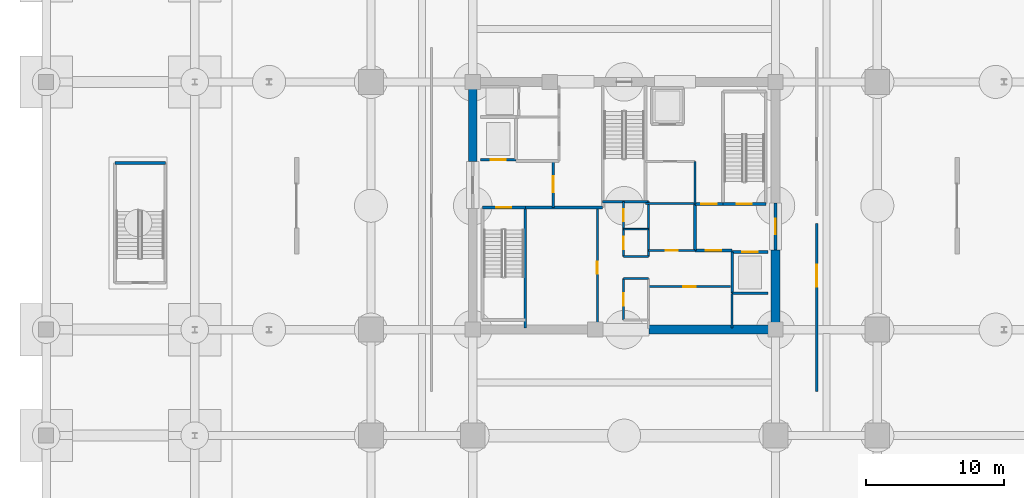
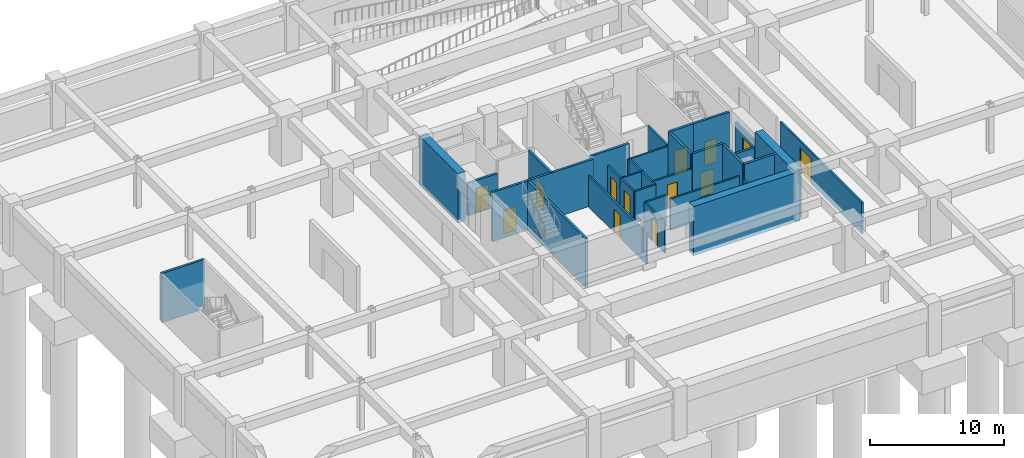
# One storey, part 9 of 17: 32 walls, 15 doors, 15 openings.
"""IFC4 building model written with IfcOpenShell, lengths in metres."""

import ifcopenshell
import ifcopenshell.guid

model = None  # the IFC model being written
_history = None  # IfcOwnerHistory: only IFC2X3 demands one
_inside = {}  # id of a spatial element -> (the spatial element, [elements in it])
_under = {}  # id of a project, library or spatial element -> (it, [spatial elements below it])
_declared = {}  # id of a project -> (the project, [libraries it declares])
_typed = {}  # id of a type object -> (the type object, [elements of that type])
_made_of = {}  # id of a material, layer set ... -> (it, [elements and type objects made of it])


def new_model(schema):
    """Start an empty IFC model of exactly this schema.

    Asked for "IFC4X3", IfcOpenShell would pick the latest addendum, in which some entities
    have other attributes; the version numbers below select the first issue.
    IFC2X3 requires an IfcOwnerHistory on every rooted entity: one is made here for all.
    """
    global model, _history
    if schema == "IFC4X3":
        model = ifcopenshell.file(schema_version=(4, 3, 0, 0))
    else:
        model = ifcopenshell.file(schema=schema)
    _inside.clear()
    _under.clear()
    _declared.clear()
    _typed.clear()
    _made_of.clear()
    _history = None
    if model.schema == "IFC2X3":
        org = make("IfcOrganization", Name="unknown")
        user = make(
            "IfcPersonAndOrganization",
            ThePerson=make("IfcPerson", FamilyName="unknown"),
            TheOrganization=org,
        )
        app = make(
            "IfcApplication",
            ApplicationDeveloper=org,
            Version="unknown",
            ApplicationFullName="unknown",
            ApplicationIdentifier="unknown",
        )
        _history = make(
            "IfcOwnerHistory",
            OwningUser=user,
            OwningApplication=app,
            ChangeAction="ADDED",
            CreationDate=0,
        )
    return model


def make(cls, **values):
    """One entity of the class cls with the attributes given. An attribute that is None is left unset."""
    return model.create_entity(
        cls, **{name: value for name, value in values.items() if value is not None}
    )


def rooted(cls, **values):
    """An entity with a GlobalId (a new one), such as an element, a storey or a relation."""
    return make(cls, GlobalId=ifcopenshell.guid.new(), OwnerHistory=_history, **values)


def si_unit(unit_type, name, prefix=None):
    """IfcSIUnit, for example si_unit("LENGTHUNIT", "METRE", prefix="MILLI")."""
    return make("IfcSIUnit", UnitType=unit_type, Prefix=prefix, Name=name)


def assignment(units):
    """IfcUnitAssignment: the units of a project."""
    return None if units is None else make("IfcUnitAssignment", Units=units)


def point(xyz):
    """IfcCartesianPoint."""
    return None if xyz is None else make("IfcCartesianPoint", Coordinates=xyz)


def direction(xyz):
    """IfcDirection."""
    return None if xyz is None else make("IfcDirection", DirectionRatios=xyz)


def frame(location, z_axis=None, x_axis=None):
    """IfcAxis2Placement3D, a coordinate frame: its origin and axes. An axis left out is left unset."""
    return make(
        "IfcAxis2Placement3D",
        Location=point(location),
        Axis=direction(z_axis),
        RefDirection=direction(x_axis),
    )


def frame_2d(location, x_axis=None):
    """IfcAxis2Placement2D, a coordinate frame in the plane: its origin and x axis."""
    return make(
        "IfcAxis2Placement2D", Location=point(location), RefDirection=direction(x_axis)
    )


def origin():
    """The frame at (0, 0, 0) with its axes left unset."""
    return frame((0.0, 0.0, 0.0))


def place(relative_to, where):
    """IfcLocalPlacement: puts the frame where relative to a parent placement (None: the world)."""
    return make(
        "IfcLocalPlacement", PlacementRelTo=relative_to, RelativePlacement=where
    )


def context(
    kind, dimensions, precision=None, world=None, true_north=None, identifier=None
):
    """IfcGeometricRepresentationContext, for example the 3D "Model" context."""
    return make(
        "IfcGeometricRepresentationContext",
        ContextIdentifier=identifier,
        ContextType=kind,
        CoordinateSpaceDimension=dimensions,
        Precision=precision,
        WorldCoordinateSystem=world,
        TrueNorth=true_north,
    )


def subcontext(parent, identifier, kind, view, scale=None):
    """IfcGeometricRepresentationSubContext, for example "Body" below "Model"."""
    return make(
        "IfcGeometricRepresentationSubContext",
        ContextIdentifier=identifier,
        ContextType=kind,
        ParentContext=parent,
        TargetScale=scale,
        TargetView=view,
    )


def project(units=None, contexts=None):
    """IfcProject with its units and contexts."""
    return rooted(
        "IfcProject",
        Name="project",
        RepresentationContexts=contexts,
        UnitsInContext=assignment(units),
    )


def spatial(cls, under=None, at=None, **own):
    """A site, building, storey or space (cls), placed at a placement, below another one or the project."""
    s = rooted(cls, ObjectPlacement=at, **own)
    if under is not None:
        _under.setdefault(under.id(), (under, []))[1].append(s)
    return s


def profile(cls, at=None, kind="AREA", **sizes):
    """A parametric profile (cls). Its sizes go by their IFC names, for example OverallWidth=200.0."""
    return make(cls, ProfileType=kind, Position=at, **sizes)


def rectangle(**sizes):
    """IfcRectangleProfileDef."""
    return profile("IfcRectangleProfileDef", **sizes)


def extrude(swept, where, along, depth):
    """IfcExtrudedAreaSolid: the profile swept, set in the frame where, extruded along a direction by depth."""
    return make(
        "IfcExtrudedAreaSolid",
        SweptArea=swept,
        Position=where,
        ExtrudedDirection=direction(along),
        Depth=depth,
    )


def shape(context_of_items, identifier, shape_type, items):
    """IfcShapeRepresentation: the items that make up one representation, for example the "Body"."""
    return make(
        "IfcShapeRepresentation",
        ContextOfItems=context_of_items,
        RepresentationIdentifier=identifier,
        RepresentationType=shape_type,
        Items=items,
    )


def material(Name=None, Category=None):
    """IfcMaterial."""
    return make("IfcMaterial", Name=Name, Category=Category)


def layer(
    of_material, thickness, ventilated=None, Name=None, Category=None, Priority=None
):
    """IfcMaterialLayer: one layer of a wall or slab, of a material (None: an air gap)."""
    return make(
        "IfcMaterialLayer",
        Material=of_material,
        LayerThickness=thickness,
        IsVentilated=ventilated,
        Name=Name,
        Category=Category,
        Priority=Priority,
    )


def layer_set(layers, Name=None):
    """IfcMaterialLayerSet."""
    return make("IfcMaterialLayerSet", MaterialLayers=layers, LayerSetName=Name)


def made_of(thing, what):
    """Note that an element or type object is made of a material, layer set ...; save() writes the relation."""
    if what is not None:
        _made_of.setdefault(what.id(), (what, []))[1].append(thing)
    return thing


def type_object(cls, material=None, **own):
    """A type object (cls), such as IfcWallType, which elements share."""
    return made_of(rooted(cls, **own), material)


def element(
    cls,
    number,
    at=None,
    inside=None,
    cuts=None,
    type_object=None,
    material=None,
    context=None,
    identifier="Body",
    shape_type=None,
    held_by="IfcProductDefinitionShape",
    body=None,
    shapes=None,
    **own,
):
    """One element of the class cls, such as IfcWall. Its Tag is "e" and its number.

    at: its placement. inside: the storey or other place that contains it. cuts: it is an
    opening in that element (IfcRelVoidsElement). A single representation is given by context,
    identifier, shape_type and body (its items); several are given by shapes. held_by: the class
    of the entity that holds the representations. save() writes the other relations.
    """
    e = rooted(cls, Tag="e%d" % number, ObjectPlacement=at, **own)
    if body is not None:
        shapes = [shape(context, identifier, shape_type, body)]
    if shapes is not None:
        e.Representation = make(held_by, Representations=shapes)
    if inside is not None:
        _inside.setdefault(inside.id(), (inside, []))[1].append(e)
    if cuts is not None:
        rooted(
            "IfcRelVoidsElement", RelatingBuildingElement=cuts, RelatedOpeningElement=e
        )
    if type_object is not None:
        _typed.setdefault(type_object.id(), (type_object, []))[1].append(e)
    return made_of(e, material)


def fill(opening, filler):
    """IfcRelFillsElement: the door or window that sits in an opening."""
    return rooted(
        "IfcRelFillsElement",
        RelatingOpeningElement=opening,
        RelatedBuildingElement=filler,
    )


def aggregate(whole, parts):
    """IfcRelAggregates: a whole, such as a stair, and the parts it consists of."""
    return rooted("IfcRelAggregates", RelatingObject=whole, RelatedObjects=parts)


def save(model, path):
    """Write the relations noted so far, then the file.

    IfcRelAggregates (storeys below a building ...), IfcRelContainedInSpatialStructure (elements
    in a storey), IfcRelDefinesByType, IfcRelAssociatesMaterial and IfcRelDeclares: one each for
    every whole, place, type object, material and project.
    """
    for whole, parts in _under.values():
        aggregate(whole, parts)
    for where, things in _inside.values():
        rooted(
            "IfcRelContainedInSpatialStructure",
            RelatedElements=things,
            RelatingStructure=where,
        )
    for kind, things in _typed.values():
        rooted("IfcRelDefinesByType", RelatedObjects=things, RelatingType=kind)
    for what, things in _made_of.values():
        rooted("IfcRelAssociatesMaterial", RelatedObjects=things, RelatingMaterial=what)
    for by, libraries in _declared.values():
        rooted("IfcRelDeclares", RelatingContext=by, RelatedDefinitions=libraries)
    model.write(path)


model = new_model("IFC4")

# Units and contexts
model_context = context("Model", 3, precision=1e-05, world=origin(), true_north=direction((0.0, 1.0)))
body_context = subcontext(model_context, "Body", "Model", "MODEL_VIEW")
ifc_project = project(units=[si_unit("LENGTHUNIT", "METRE"), si_unit("AREAUNIT", "SQUARE_METRE"), si_unit("VOLUMEUNIT", "CUBIC_METRE"), si_unit("PLANEANGLEUNIT", "RADIAN"), si_unit("MASSUNIT", "GRAM", prefix="KILO")], contexts=[model_context])

# Site, building, storey
site_placement = place(None, origin())
site = spatial("IfcSite", under=ifc_project, at=site_placement, CompositionType="ELEMENT")
building_placement = place(site_placement, origin())
building = spatial("IfcBuilding", under=site, at=building_placement, Name="Kovane Verandah Tower", CompositionType="ELEMENT")
storey_placement = place(building_placement, frame((0.0, 0.0, -9.0)))
storey = spatial("IfcBuildingStorey", under=building, at=storey_placement, Name="B2", CompositionType="ELEMENT", Elevation=-9.0)

# Walls
ifc_material_1 = material(Name="Fire-Rated Gypsum Stud Partition", Category="gypsum")
ifc_layer_1 = layer(ifc_material_1, 0.14990234375)
ifc_layer_set_1 = layer_set([ifc_layer_1], Name="Fire-Rated Gypsum Stud Partition")
wall_type_1 = type_object("IfcWallType", Name="WL-COR-150", PredefinedType="PARTITIONING", material=ifc_layer_set_1)
for number, where, z_axis, x_axis, name in (
    (1, (39.949951171875, 22.199951171875, 0.0), (0.0, 0.0, 1.0), (1.0, 0.0, 0.0), "B2 Core Cross-Passage South Wall"),
    (2, (39.949951171875, 23.800048828125, 0.0), (0.0, 0.0, 1.0), (1.0, 0.0, 0.0), "B2 Core Cross-Passage North Wall"),
):
    element("IfcWall", number, at=place(storey_placement, frame(where, z_axis=z_axis, x_axis=x_axis)), inside=storey, type_object=wall_type_1, Name=name, PredefinedType="PARTITIONING", context=body_context, shape_type="SweptSolid", body=[
        extrude(rectangle(XDim=1.81005859375, YDim=0.14990234375, at=frame_2d((0.905029296875, 0.0))), origin(), (0.0, 0.0, 1.0), 2.85009765625),
    ])
wall_1_placement = place(storey_placement, frame((41.760009765625, 23.800048828125, 0.0), z_axis=(0.0, 0.0, 1.0), x_axis=(0.0, 1.0, 0.0)))
element("IfcWall", 3, at=wall_1_placement, inside=storey, type_object=wall_type_1, Name="B2 Central Core Strip Upper East Wall", PredefinedType="PARTITIONING", context=body_context, shape_type="SweptSolid", body=[
    extrude(rectangle(XDim=4.0, YDim=0.14990234375, at=frame_2d((2.0, 0.0))), origin(), (0.0, 0.0, 1.0), 2.85009765625),
])

# Wall, opening, door
wall_2_placement = place(storey_placement, frame((39.949951171875, 19.199951171875, 0.0), z_axis=(0.0, 0.0, 1.0), x_axis=(0.0, 1.0, 0.0)))
wall_2 = element("IfcWall", 4, at=wall_2_placement, inside=storey, type_object=wall_type_1, Name="B2 Male Toilet Partition", PredefinedType="PARTITIONING", context=body_context, shape_type="SweptSolid", body=[
    extrude(rectangle(XDim=3.0, YDim=0.14990234375, at=frame_2d((1.5, 0.0))), origin(), (0.0, 0.0, 1.0), 2.85009765625),
])
opening_1_placement = place(wall_2_placement, frame((1.050048828125, 0.0, 0.0)))
opening_1 = element("IfcOpeningElement", 5, at=opening_1_placement, cuts=wall_2, Name="Opening DR-B2-022", PredefinedType="OPENING", context=body_context, shape_type="SweptSolid", body=[
    extrude(rectangle(XDim=0.89990234375, YDim=2.10009765625, at=frame_2d((0.449951171875, 1.050048828125))), frame((0.0, 0.074951171875, 0.0), z_axis=(0.0, -1.0, 0.0), x_axis=(1.0, 0.0, 0.0)), (0.0, 0.0, 1.0), 0.14990234375),
])
ifc_material_2 = material(Name="Moisture-Resistant Laminate Washroom Door", Category="wood")
door_type_1 = type_object("IfcDoorType", Name="DR-WC-900", OperationType="SINGLE_SWING_LEFT", PredefinedType="DOOR", material=ifc_material_2)
door_1_placement = place(opening_1_placement, origin())
door_1 = element("IfcDoor", 6, at=door_1_placement, inside=storey, type_object=door_type_1, Name="B2 Male Toilet Door", OperationType="SINGLE_SWING_LEFT", OverallHeight=2.10009765625, OverallWidth=0.89990234375, PredefinedType="DOOR", context=body_context, shape_type="SweptSolid", body=[
    extrude(rectangle(XDim=0.89990234375, YDim=2.10009765625, at=frame_2d((0.449951171875, 1.050048828125))), frame((0.0, 0.02490234375, 0.0), z_axis=(0.0, -1.0, 0.0), x_axis=(1.0, 0.0, 0.0)), (0.0, 0.0, 1.0), 0.050048828125),
])
fill(opening_1, door_1)

wall_3_placement = place(storey_placement, frame((39.949951171875, 23.800048828125, 0.0), z_axis=(0.0, 0.0, 1.0), x_axis=(0.0, 1.0, 0.0)))
wall_3 = element("IfcWall", 7, at=wall_3_placement, inside=storey, type_object=wall_type_1, Name="B2 Female Toilet Partition", PredefinedType="PARTITIONING", context=body_context, shape_type="SweptSolid", body=[
    extrude(rectangle(XDim=2.0, YDim=0.14990234375, at=frame_2d((1.0, 0.0))), origin(), (0.0, 0.0, 1.0), 2.85009765625),
])
opening_2_placement = place(wall_3_placement, frame((0.550048828125, 0.0, 0.0)))
opening_2 = element("IfcOpeningElement", 8, at=opening_2_placement, cuts=wall_3, Name="Opening DR-B2-021", PredefinedType="OPENING", context=body_context, shape_type="SweptSolid", body=[
    extrude(rectangle(XDim=0.89990234375, YDim=2.10009765625, at=frame_2d((0.449951171875, 1.050048828125))), frame((0.0, 0.074951171875, 0.0), z_axis=(0.0, -1.0, 0.0), x_axis=(1.0, 0.0, 0.0)), (0.0, 0.0, 1.0), 0.14990234375),
])
door_2_placement = place(opening_2_placement, origin())
door_2 = element("IfcDoor", 9, at=door_2_placement, inside=storey, type_object=door_type_1, Name="B2 Female Toilet Door", OperationType="SINGLE_SWING_RIGHT", OverallHeight=2.10009765625, OverallWidth=0.89990234375, PredefinedType="DOOR", context=body_context, shape_type="SweptSolid", body=[
    extrude(rectangle(XDim=0.89990234375, YDim=2.10009765625, at=frame_2d((0.449951171875, 1.050048828125))), frame((0.0, 0.02490234375, 0.0), z_axis=(0.0, -1.0, 0.0), x_axis=(1.0, 0.0, 0.0)), (0.0, 0.0, 1.0), 0.050048828125),
])
fill(opening_2, door_2)

wall_4_placement = place(storey_placement, frame((39.949951171875, 25.800048828125, 0.0), z_axis=(0.0, 0.0, 1.0), x_axis=(0.0, 1.0, 0.0)))
wall_4 = element("IfcWall", 10, at=wall_4_placement, inside=storey, type_object=wall_type_1, Name="B2 Telecom and BMS Riser Room Partition", PredefinedType="PARTITIONING", context=body_context, shape_type="SweptSolid", body=[
    extrude(rectangle(XDim=2.0, YDim=0.14990234375, at=frame_2d((1.0, 0.0))), origin(), (0.0, 0.0, 1.0), 2.85009765625),
])
opening_3_placement = place(wall_4_placement, frame((0.56005859375, 0.0, 0.0)))
opening_3 = element("IfcOpeningElement", 11, at=opening_3_placement, cuts=wall_4, Name="Opening DR-B2-019", PredefinedType="OPENING", context=body_context, shape_type="SweptSolid", body=[
    extrude(rectangle(XDim=0.8798828125, YDim=2.10009765625, at=frame_2d((0.43994140625, 1.050048828125))), frame((0.0, 0.074951171875, 0.0), z_axis=(0.0, -1.0, 0.0), x_axis=(1.0, 0.0, 0.0)), (0.0, 0.0, 1.0), 0.14990234375),
])
ifc_material_3 = material(Name="Fire-Rated Steel Riser Access Door", Category="steel")
door_type_2 = type_object("IfcDoorType", Name="DR-RISER-880", OperationType="SINGLE_SWING_LEFT", PredefinedType="DOOR", material=ifc_material_3)
door_3_placement = place(opening_3_placement, origin())
door_3 = element("IfcDoor", 12, at=door_3_placement, inside=storey, type_object=door_type_2, Name="B2 Telecom and BMS Riser Room Door", OperationType="SINGLE_SWING_LEFT", OverallHeight=2.10009765625, OverallWidth=0.8798828125, PredefinedType="DOOR", context=body_context, shape_type="SweptSolid", body=[
    extrude(rectangle(XDim=0.8798828125, YDim=2.10009765625, at=frame_2d((0.43994140625, 1.050048828125))), frame((0.0, 0.02490234375, 0.0), z_axis=(0.0, -1.0, 0.0), x_axis=(1.0, 0.0, 0.0)), (0.0, 0.0, 1.0), 0.050048828125),
])
fill(opening_3, door_3)

wall_5_placement = place(storey_placement, frame((38.050048828125, 18.60009765625, 0.0), z_axis=(0.0, 0.0, 1.0), x_axis=(0.0, 1.0, 0.0)))
wall_5 = element("IfcWall", 13, at=wall_5_placement, inside=storey, type_object=wall_type_1, Name="B2 Core Mechanical Fan Plant Room Partition", PredefinedType="PARTITIONING", context=body_context, shape_type="SweptSolid", body=[
    extrude(rectangle(XDim=8.77978515625, YDim=0.14990234375, at=frame_2d((4.389892578125, 0.0))), origin(), (0.0, 0.0, 1.0), 2.85009765625),
])
opening_4_placement = place(wall_5_placement, frame((3.949951171875, 0.0, 0.0)))
opening_4 = element("IfcOpeningElement", 14, at=opening_4_placement, cuts=wall_5, Name="Opening DR-B2-013", PredefinedType="OPENING", context=body_context, shape_type="SweptSolid", body=[
    extrude(rectangle(XDim=0.8798828125, YDim=2.10009765625, at=frame_2d((0.43994140625, 1.050048828125))), frame((0.0, 0.074951171875, 0.0), z_axis=(0.0, -1.0, 0.0), x_axis=(1.0, 0.0, 0.0)), (0.0, 0.0, 1.0), 0.14990234375),
])
door_4_placement = place(opening_4_placement, origin())
door_4 = element("IfcDoor", 15, at=door_4_placement, inside=storey, type_object=door_type_2, Name="B2 Core Mechanical Fan Plant Room Door", OperationType="SINGLE_SWING_RIGHT", OverallHeight=2.10009765625, OverallWidth=0.8798828125, PredefinedType="DOOR", context=body_context, shape_type="SweptSolid", body=[
    extrude(rectangle(XDim=0.8798828125, YDim=2.10009765625, at=frame_2d((0.43994140625, 1.050048828125))), frame((0.0, 0.02490234375, 0.0), z_axis=(0.0, -1.0, 0.0), x_axis=(1.0, 0.0, 0.0)), (0.0, 0.0, 1.0), 0.050048828125),
])
fill(opening_4, door_4)

# Walls
wall_6_placement = place(storey_placement, frame((41.56005859375, 27.679931640625, 0.0), z_axis=(0.0, 0.0, 1.0), x_axis=(1.0, 0.0, 0.0)))
element("IfcWall", 16, at=wall_6_placement, inside=storey, type_object=wall_type_1, Name="B2 East Core Service Riser South Wall", PredefinedType="PARTITIONING", context=body_context, shape_type="SweptSolid", body=[
    extrude(rectangle(XDim=3.58984375, YDim=0.14990234375, at=frame_2d((1.794921875, 0.0))), origin(), (0.0, 0.0, 1.0), 2.85009765625),
])
wall_7_placement = place(storey_placement, frame((47.85009765625, 18.60009765625, 0.0), z_axis=(0.0, 0.0, 1.0), x_axis=(0.0, 1.0, 0.0)))
element("IfcWall", 17, at=wall_7_placement, inside=storey, type_object=wall_type_1, Name="B2 East Core Support East Wall", PredefinedType="PARTITIONING", context=body_context, shape_type="SweptSolid", body=[
    extrude(rectangle(XDim=2.539794921875, YDim=0.14990234375, at=frame_2d((1.27001953125, 0.0))), origin(), (0.0, 0.0, 1.0), 2.85009765625),
])

# Wall, opening, door
wall_8_placement = place(storey_placement, frame((41.760009765625, 21.6201171875, 0.0), z_axis=(0.0, 0.0, 1.0), x_axis=(1.0, 0.0, 0.0)))
wall_8 = element("IfcWall", 18, at=wall_8_placement, inside=storey, type_object=wall_type_1, Name="B2 Core Smoke Extract Fan Plant Room Partition", PredefinedType="PARTITIONING", context=body_context, shape_type="SweptSolid", body=[
    extrude(rectangle(XDim=5.97998046875, YDim=0.14990234375, at=frame_2d((2.989990234375, 0.0))), origin(), (0.0, 0.0, 1.0), 2.85009765625),
])
opening_5_placement = place(wall_8_placement, frame((2.550048828125, 0.0, 0.0)))
opening_5 = element("IfcOpeningElement", 19, at=opening_5_placement, cuts=wall_8, Name="Opening DR-B2-014", PredefinedType="OPENING", context=body_context, shape_type="SweptSolid", body=[
    extrude(rectangle(XDim=0.8798828125, YDim=2.10009765625, at=frame_2d((0.43994140625, 1.050048828125))), frame((0.0, 0.074951171875, 0.0), z_axis=(0.0, -1.0, 0.0), x_axis=(1.0, 0.0, 0.0)), (0.0, 0.0, 1.0), 0.14990234375),
])
door_5_placement = place(opening_5_placement, origin())
door_5 = element("IfcDoor", 20, at=door_5_placement, inside=storey, type_object=door_type_2, Name="B2 Core Smoke Extract Fan Plant Room Door", OperationType="SINGLE_SWING_LEFT", OverallHeight=2.10009765625, OverallWidth=0.8798828125, PredefinedType="DOOR", context=body_context, shape_type="SweptSolid", body=[
    extrude(rectangle(XDim=0.8798828125, YDim=2.10009765625, at=frame_2d((0.43994140625, 1.050048828125))), frame((0.0, 0.02490234375, 0.0), z_axis=(0.0, -1.0, 0.0), x_axis=(1.0, 0.0, 0.0)), (0.0, 0.0, 1.0), 0.050048828125),
])
fill(opening_5, door_5)

wall_9_placement = place(storey_placement, frame((41.760009765625, 24.25, 0.0), z_axis=(0.0, 0.0, 1.0), x_axis=(1.0, 0.0, 0.0)))
wall_9 = element("IfcWall", 21, at=wall_9_placement, inside=storey, type_object=wall_type_1, Name="B2 Cleaner Store Partition", PredefinedType="PARTITIONING", context=body_context, shape_type="SweptSolid", body=[
    extrude(rectangle(XDim=3.389892578125, YDim=0.14990234375, at=frame_2d((1.69482421875, 0.0))), origin(), (0.0, 0.0, 1.0), 2.85009765625),
])
opening_6_placement = place(wall_9_placement, frame((1.2548828125, 0.0, 0.0)))
opening_6 = element("IfcOpeningElement", 22, at=opening_6_placement, cuts=wall_9, Name="Opening DR-B2-015", PredefinedType="OPENING", context=body_context, shape_type="SweptSolid", body=[
    extrude(rectangle(XDim=0.8798828125, YDim=2.10009765625, at=frame_2d((0.43994140625, 1.050048828125))), frame((0.0, 0.074951171875, 0.0), z_axis=(0.0, -1.0, 0.0), x_axis=(1.0, 0.0, 0.0)), (0.0, 0.0, 1.0), 0.14990234375),
])
door_6_placement = place(opening_6_placement, origin())
door_6 = element("IfcDoor", 23, at=door_6_placement, inside=storey, type_object=door_type_2, Name="B2 Cleaner Store Door", OperationType="SINGLE_SWING_RIGHT", OverallHeight=2.10009765625, OverallWidth=0.8798828125, PredefinedType="DOOR", context=body_context, shape_type="SweptSolid", body=[
    extrude(rectangle(XDim=0.8798828125, YDim=2.10009765625, at=frame_2d((0.43994140625, 1.050048828125))), frame((0.0, 0.02490234375, 0.0), z_axis=(0.0, -1.0, 0.0), x_axis=(1.0, 0.0, 0.0)), (0.0, 0.0, 1.0), 0.050048828125),
])
fill(opening_6, door_6)

# Wall
wall_10_placement = place(storey_placement, frame((45.14990234375, 27.6201171875, 0.0), z_axis=(0.0, 0.0, 1.0), x_axis=(0.0, 1.0, 0.0)))
element("IfcWall", 24, at=wall_10_placement, inside=storey, type_object=wall_type_1, Name="B2 East Core Service Riser East Wall", PredefinedType="PARTITIONING", context=body_context, shape_type="SweptSolid", body=[
    extrude(rectangle(XDim=3.099853515625, YDim=0.14990234375, at=frame_2d((1.5498046875, 0.0))), origin(), (0.0, 0.0, 1.0), 2.85009765625),
])

# Wall, opening, door
wall_11_placement = place(storey_placement, frame((54.0, 14.0, 0.0), z_axis=(0.0, 0.0, 1.0), x_axis=(0.0, 1.0, 0.0)))
wall_11 = element("IfcWall", 25, at=wall_11_placement, inside=storey, type_object=wall_type_1, Name="B2 Sprinkler Water Tank Room Corridor Partition", PredefinedType="PARTITIONING", context=body_context, shape_type="SweptSolid", body=[
    extrude(rectangle(XDim=12.199951171875, YDim=0.14990234375, at=frame_2d((6.10009765625, 0.0))), origin(), (0.0, 0.0, 1.0), 2.85009765625),
])
opening_7_placement = place(wall_11_placement, frame((7.60009765625, 0.0, 0.0)))
opening_7 = element("IfcOpeningElement", 26, at=opening_7_placement, cuts=wall_11, Name="Opening DR-B2-018", PredefinedType="OPENING", context=body_context, shape_type="SweptSolid", body=[
    extrude(rectangle(XDim=1.60009765625, YDim=2.25, at=frame_2d((0.800048828125, 1.125))), frame((0.0, 0.074951171875, 0.0), z_axis=(0.0, -1.0, 0.0), x_axis=(1.0, 0.0, 0.0)), (0.0, 0.0, 1.0), 0.14990234375),
])
ifc_material_4 = material(Name="Louvred Acoustic Steel Double Plant Door", Category="steel")
door_type_3 = type_object("IfcDoorType", Name="DR-PLANT-1600", OperationType="DOUBLE_DOOR_SINGLE_SWING", PredefinedType="DOOR", material=ifc_material_4)
door_7_placement = place(opening_7_placement, origin())
door_7 = element("IfcDoor", 27, at=door_7_placement, inside=storey, type_object=door_type_3, Name="B2 Sprinkler Water Tank Room Entrance Door", OperationType="DOUBLE_DOOR_SINGLE_SWING", OverallHeight=2.25, OverallWidth=1.60009765625, PredefinedType="DOOR", context=body_context, shape_type="SweptSolid", body=[
    extrude(rectangle(XDim=1.60009765625, YDim=2.25, at=frame_2d((0.800048828125, 1.125))), frame((0.0, 0.02490234375, 0.0), z_axis=(0.0, -1.0, 0.0), x_axis=(1.0, 0.0, 0.0)), (0.0, 0.0, 1.0), 0.050048828125),
])
fill(opening_7, door_7)

# Walls
ifc_material_5 = material(Name="Concrete C80/95", Category="concrete")
ifc_layer_2 = layer(ifc_material_5, 0.64990234375)
ifc_layer_set_2 = layer_set([ifc_layer_2], Name="Concrete C80/95")
wall_type_2 = type_object("IfcWallType", Name="WL-CORE-650", PredefinedType="SHEAR", material=ifc_layer_set_2)
wall_12_placement = place(storey_placement, frame((41.800048828125, 18.5, -0.300048828125), z_axis=(0.0, 0.0, 1.0), x_axis=(1.0, 0.0, 0.0)))
element("IfcWall", 28, at=wall_12_placement, inside=storey, type_object=wall_type_2, Name="B2 Core Shear Wall CS-2", PredefinedType="SHEAR", context=body_context, shape_type="SweptSolid", body=[
    extrude(rectangle(XDim=9.199951171875, YDim=0.64990234375, at=frame_2d((4.60009765625, 0.0))), origin(), (0.0, 0.0, 1.0), 4.5),
])
for number, where, z_axis, x_axis, name in (
    (29, (29.0, 30.699951171875, -0.300048828125), (0.0, 0.0, 1.0), (0.0, 1.0, 0.0), "B2 Core Shear Wall CW-2"),
    (30, (51.0, 18.5, -0.300048828125), (0.0, 0.0, 1.0), (0.0, 1.0, 0.0), "B2 Core Shear Wall CE-1"),
):
    element("IfcWall", number, at=place(storey_placement, frame(where, z_axis=z_axis, x_axis=x_axis)), inside=storey, type_object=wall_type_2, Name=name, PredefinedType="SHEAR", context=body_context, shape_type="SweptSolid", body=[
        extrude(rectangle(XDim=5.800048828125, YDim=0.64990234375, at=frame_2d((2.89990234375, 0.0))), origin(), (0.0, 0.0, 1.0), 4.5),
    ])

# Wall, opening, door
ifc_material_6 = material(Name="Concrete C45/55 Fire Wall", Category="concrete")
ifc_layer_3 = layer(ifc_material_6, 0.199951171875)
ifc_layer_set_3 = layer_set([ifc_layer_3], Name="Concrete C45/55 Fire Wall")
wall_type_3 = type_object("IfcWallType", Name="WL-FFL-200", PredefinedType="PARTITIONING", material=ifc_layer_set_3)
wall_13_placement = place(storey_placement, frame((34.85009765625, 27.3798828125, 0.0), z_axis=(0.0, 0.0, 1.0), x_axis=(0.0, 1.0, 0.0)))
wall_13 = element("IfcWall", 31, at=wall_13_placement, inside=storey, type_object=wall_type_3, Name="W-B2-FFLW-E", PredefinedType="PARTITIONING", context=body_context, shape_type="SweptSolid", body=[
    extrude(rectangle(XDim=3.3701171875, YDim=0.199951171875, at=frame_2d((1.68505859375, 0.0))), origin(), (0.0, 0.0, 1.0), 4.199951171875),
])
opening_8_placement = place(wall_13_placement, frame((1.110107421875, 0.0, 0.0)))
opening_8 = element("IfcOpeningElement", 32, at=opening_8_placement, cuts=wall_13, Name="Opening DR-B2-004", PredefinedType="OPENING", context=body_context, shape_type="SweptSolid", body=[
    extrude(rectangle(XDim=1.14990234375, YDim=2.199951171875, at=frame_2d((0.574951171875, 1.10009765625))), frame((0.0, 0.10009765625, 0.0), z_axis=(0.0, -1.0, 0.0), x_axis=(1.0, 0.0, 0.0)), (0.0, 0.0, 1.0), 0.199951171875),
])
ifc_material_7 = material(Name="Smoke-Sealed Firefighting Lobby Door", Category="steel")
door_type_4 = type_object("IfcDoorType", Name="DR-FFL-1150", OperationType="SINGLE_SWING_LEFT", PredefinedType="DOOR", material=ifc_material_7)
door_8_placement = place(opening_8_placement, origin())
door_8 = element("IfcDoor", 33, at=door_8_placement, inside=storey, type_object=door_type_4, Name="B2 West Firefighting Lobby Inner Door", OperationType="SINGLE_SWING_LEFT", OverallHeight=2.199951171875, OverallWidth=1.14990234375, PredefinedType="DOOR", context=body_context, shape_type="SweptSolid", body=[
    extrude(rectangle(XDim=1.14990234375, YDim=2.199951171875, at=frame_2d((0.574951171875, 1.10009765625))), frame((0.0, 0.02490234375, 0.0), z_axis=(0.0, -1.0, 0.0), x_axis=(1.0, 0.0, 0.0)), (0.0, 0.0, 1.0), 0.050048828125),
])
fill(opening_8, door_8)

# Walls
wall_14_placement = place(storey_placement, frame((32.820068359375, 27.3798828125, 0.0), z_axis=(0.0, 0.0, 1.0), x_axis=(1.0, 0.0, 0.0)))
element("IfcWall", 34, at=wall_14_placement, inside=storey, type_object=wall_type_3, Name="B2 West Firefighting Lobby South Fire Wall", PredefinedType="PARTITIONING", context=body_context, shape_type="SweptSolid", body=[
    extrude(rectangle(XDim=5.619873046875, YDim=0.199951171875, at=frame_2d((2.81005859375, 0.0))), origin(), (0.0, 0.0, 1.0), 4.199951171875),
])
wall_15_placement = place(storey_placement, frame((45.14990234375, 24.25, 0.0), z_axis=(0.0, 0.0, 1.0), x_axis=(0.0, 1.0, 0.0)))
element("IfcWall", 35, at=wall_15_placement, inside=storey, type_object=wall_type_3, Name="B2 East Firefighting Lobby West Fire Wall", PredefinedType="PARTITIONING", context=body_context, shape_type="SweptSolid", body=[
    extrude(rectangle(XDim=3.3701171875, YDim=0.199951171875, at=frame_2d((1.68505859375, 0.0))), origin(), (0.0, 0.0, 1.0), 4.199951171875),
])

# Wall, opening, door
wall_16_placement = place(storey_placement, frame((45.14990234375, 24.25, 0.0), z_axis=(0.0, 0.0, 1.0), x_axis=(1.0, 0.0, 0.0)))
wall_16 = element("IfcWall", 36, at=wall_16_placement, inside=storey, type_object=wall_type_3, Name="W-B2-FFLE-S", PredefinedType="PARTITIONING", context=body_context, shape_type="SweptSolid", body=[
    extrude(rectangle(XDim=2.7001953125, YDim=0.199951171875, at=frame_2d((1.35009765625, 0.0))), origin(), (0.0, 0.0, 1.0), 4.199951171875),
])
opening_9_placement = place(wall_16_placement, frame((0.77490234375, 0.0, 0.0)))
opening_9 = element("IfcOpeningElement", 37, at=opening_9_placement, cuts=wall_16, Name="Opening DR-B2-001", PredefinedType="OPENING", context=body_context, shape_type="SweptSolid", body=[
    extrude(rectangle(XDim=1.14990234375, YDim=2.199951171875, at=frame_2d((0.574951171875, 1.10009765625))), frame((0.0, 0.10009765625, 0.0), z_axis=(0.0, -1.0, 0.0), x_axis=(1.0, 0.0, 0.0)), (0.0, 0.0, 1.0), 0.199951171875),
])
door_9_placement = place(opening_9_placement, origin())
door_9 = element("IfcDoor", 38, at=door_9_placement, inside=storey, type_object=door_type_4, Name="B2 East Firefighting Lobby Inner Door", OperationType="SINGLE_SWING_RIGHT", OverallHeight=2.199951171875, OverallWidth=1.14990234375, PredefinedType="DOOR", context=body_context, shape_type="SweptSolid", body=[
    extrude(rectangle(XDim=1.14990234375, YDim=2.199951171875, at=frame_2d((0.574951171875, 1.10009765625))), frame((0.0, 0.02490234375, 0.0), z_axis=(0.0, -1.0, 0.0), x_axis=(1.0, 0.0, 0.0)), (0.0, 0.0, 1.0), 0.050048828125),
])
fill(opening_9, door_9)

wall_17_placement = place(storey_placement, frame((45.14990234375, 27.6201171875, 0.0), z_axis=(0.0, 0.0, 1.0), x_axis=(1.0, 0.0, 0.0)))
wall_17 = element("IfcWall", 39, at=wall_17_placement, inside=storey, type_object=wall_type_3, Name="W-B2-FFLE-N", PredefinedType="PARTITIONING", context=body_context, shape_type="SweptSolid", body=[
    extrude(rectangle(XDim=2.030029296875, YDim=0.199951171875, at=frame_2d((1.01513671875, 0.0))), origin(), (0.0, 0.0, 1.0), 4.199951171875),
])
opening_10_placement = place(wall_17_placement, frame((0.43994140625, 0.0, 0.0)))
opening_10 = element("IfcOpeningElement", 40, at=opening_10_placement, cuts=wall_17, Name="Opening DR-B2-002", PredefinedType="OPENING", context=body_context, shape_type="SweptSolid", body=[
    extrude(rectangle(XDim=1.14990234375, YDim=2.199951171875, at=frame_2d((0.574951171875, 1.10009765625))), frame((0.0, 0.10009765625, 0.0), z_axis=(0.0, -1.0, 0.0), x_axis=(1.0, 0.0, 0.0)), (0.0, 0.0, 1.0), 0.199951171875),
])
door_10_placement = place(opening_10_placement, origin())
door_10 = element("IfcDoor", 41, at=door_10_placement, inside=storey, type_object=door_type_4, Name="B2 East Firefighting Lobby Shuttle Link Door", OperationType="SINGLE_SWING_LEFT", OverallHeight=2.199951171875, OverallWidth=1.14990234375, PredefinedType="DOOR", context=body_context, shape_type="SweptSolid", body=[
    extrude(rectangle(XDim=1.14990234375, YDim=2.199951171875, at=frame_2d((0.574951171875, 1.10009765625))), frame((0.0, 0.02490234375, 0.0), z_axis=(0.0, -1.0, 0.0), x_axis=(1.0, 0.0, 0.0)), (0.0, 0.0, 1.0), 0.050048828125),
])
fill(opening_10, door_10)

wall_18_placement = place(storey_placement, frame((51.0, 24.300048828125, 0.0), z_axis=(0.0, 0.0, 1.0), x_axis=(0.0, 1.0, 0.0)))
wall_18 = element("IfcWall", 42, at=wall_18_placement, inside=storey, type_object=wall_type_3, Name="W-B2-FFLE-OUT", PredefinedType="PARTITIONING", context=body_context, shape_type="SweptSolid", body=[
    extrude(rectangle(XDim=3.39990234375, YDim=0.199951171875, at=frame_2d((1.699951171875, 0.0))), origin(), (0.0, 0.0, 1.0), 2.97998046875),
])
opening_11_placement = place(wall_18_placement, frame((1.125, 0.0, 0.0)))
opening_11 = element("IfcOpeningElement", 43, at=opening_11_placement, cuts=wall_18, Name="Opening DR-B2-003", PredefinedType="OPENING", context=body_context, shape_type="SweptSolid", body=[
    extrude(rectangle(XDim=1.14990234375, YDim=2.199951171875, at=frame_2d((0.574951171875, 1.10009765625))), frame((0.0, 0.10009765625, 0.0), z_axis=(0.0, -1.0, 0.0), x_axis=(1.0, 0.0, 0.0)), (0.0, 0.0, 1.0), 0.199951171875),
])
door_11_placement = place(opening_11_placement, origin())
door_11 = element("IfcDoor", 44, at=door_11_placement, inside=storey, type_object=door_type_4, Name="B2 East Firefighting Lobby Corridor Door", OperationType="SINGLE_SWING_LEFT", OverallHeight=2.199951171875, OverallWidth=1.14990234375, PredefinedType="DOOR", context=body_context, shape_type="SweptSolid", body=[
    extrude(rectangle(XDim=1.14990234375, YDim=2.199951171875, at=frame_2d((0.574951171875, 1.10009765625))), frame((0.0, 0.02490234375, 0.0), z_axis=(0.0, -1.0, 0.0), x_axis=(1.0, 0.0, 0.0)), (0.0, 0.0, 1.0), 0.050048828125),
])
fill(opening_11, door_11)

ifc_material_8 = material(Name="Concrete C45/55 Lift Shaft Wall", Category="concrete")
ifc_layer_4 = layer(ifc_material_8, 0.199951171875)
ifc_layer_set_4 = layer_set([ifc_layer_4], Name="Concrete C45/55 Lift Shaft Wall")
wall_type_4 = type_object("IfcWallType", Name="WL-LIFT-200", PredefinedType="SOLIDWALL", material=ifc_layer_set_4)
wall_19_placement = place(storey_placement, frame((29.550048828125, 30.85009765625, 0.0), z_axis=(0.0, 0.0, 1.0), x_axis=(1.0, 0.0, 0.0)))
wall_19 = element("IfcWall", 45, at=wall_19_placement, inside=storey, type_object=wall_type_4, Name="B2 Lift FL-01 S Shaft Wall", PredefinedType="SOLIDWALL", context=body_context, shape_type="SweptSolid", body=[
    extrude(rectangle(XDim=2.599853515625, YDim=0.199951171875, at=frame_2d((1.2998046875, 0.0))), origin(), (0.0, 0.0, 1.0), 2.97998046875),
])
opening_12_placement = place(wall_19_placement, frame((0.75, 0.0, 0.0)))
opening_12 = element("IfcOpeningElement", 46, at=opening_12_placement, cuts=wall_19, Name="Opening LD-B2-001", PredefinedType="OPENING", context=body_context, shape_type="SweptSolid", body=[
    extrude(rectangle(XDim=1.10009765625, YDim=2.199951171875, at=frame_2d((0.550048828125, 1.10009765625))), frame((0.0, 0.10009765625, 0.0), z_axis=(0.0, -1.0, 0.0), x_axis=(1.0, 0.0, 0.0)), (0.0, 0.0, 1.0), 0.199951171875),
])
ifc_material_9 = material(Name="Brushed Stainless Steel Sliding Lift Landing Door", Category="steel")
door_type_5 = type_object("IfcDoorType", Name="DR-LIFT-1100", OperationType="SLIDING_TO_RIGHT", PredefinedType="DOOR", material=ifc_material_9)
door_12_placement = place(opening_12_placement, origin())
door_12 = element("IfcDoor", 47, at=door_12_placement, inside=storey, type_object=door_type_5, Name="B2 Lift FL-01 Sliding Landing Door", OperationType="SLIDING_TO_RIGHT", OverallHeight=2.199951171875, OverallWidth=1.10009765625, PredefinedType="DOOR", context=body_context, shape_type="SweptSolid", body=[
    extrude(rectangle(XDim=1.10009765625, YDim=2.199951171875, at=frame_2d((0.550048828125, 1.10009765625))), frame((0.0, 0.02490234375, 0.0), z_axis=(0.0, -1.0, 0.0), x_axis=(1.0, 0.0, 0.0)), (0.0, 0.0, 1.0), 0.050048828125),
])
fill(opening_12, door_12)

# Wall
wall_20_placement = place(storey_placement, frame((47.85009765625, 21.14990234375, 0.0), z_axis=(0.0, 0.0, 1.0), x_axis=(1.0, 0.0, 0.0)))
element("IfcWall", 48, at=wall_20_placement, inside=storey, type_object=wall_type_4, Name="B2 Lift FL-02 S Shaft Wall", PredefinedType="SOLIDWALL", context=body_context, shape_type="SweptSolid", body=[
    extrude(rectangle(XDim=2.599853515625, YDim=0.199951171875, at=frame_2d((1.2998046875, 0.0))), origin(), (0.0, 0.0, 1.0), 4.199951171875),
])

# Wall, opening, door
wall_21_placement = place(storey_placement, frame((50.449951171875, 24.14990234375, 0.0), z_axis=(0.0, 0.0, 1.0), x_axis=(-1.0, 0.0, 0.0)))
wall_21 = element("IfcWall", 49, at=wall_21_placement, inside=storey, type_object=wall_type_4, Name="B2 Lift FL-02 N Shaft Wall", PredefinedType="SOLIDWALL", context=body_context, shape_type="SweptSolid", body=[
    extrude(rectangle(XDim=2.599853515625, YDim=0.199951171875, at=frame_2d((1.2998046875, 0.0))), origin(), (0.0, 0.0, 1.0), 2.97998046875),
])
opening_13_placement = place(wall_21_placement, frame((0.75, 0.0, 0.0)))
opening_13 = element("IfcOpeningElement", 50, at=opening_13_placement, cuts=wall_21, Name="Opening LD-B2-002", PredefinedType="OPENING", context=body_context, shape_type="SweptSolid", body=[
    extrude(rectangle(XDim=1.10009765625, YDim=2.199951171875, at=frame_2d((0.550048828125, 1.10009765625))), frame((0.0, 0.10009765625, 0.0), z_axis=(0.0, -1.0, 0.0), x_axis=(1.0, 0.0, 0.0)), (0.0, 0.0, 1.0), 0.199951171875),
])
door_13_placement = place(opening_13_placement, origin())
door_13 = element("IfcDoor", 51, at=door_13_placement, inside=storey, type_object=door_type_5, Name="B2 Lift FL-02 Sliding Landing Door", OperationType="SLIDING_TO_RIGHT", OverallHeight=2.199951171875, OverallWidth=1.10009765625, PredefinedType="DOOR", context=body_context, shape_type="SweptSolid", body=[
    extrude(rectangle(XDim=1.10009765625, YDim=2.199951171875, at=frame_2d((0.550048828125, 1.10009765625))), frame((0.0, 0.02490234375, 0.0), z_axis=(0.0, -1.0, 0.0), x_axis=(1.0, 0.0, 0.0)), (0.0, 0.0, 1.0), 0.050048828125),
])
fill(opening_13, door_13)

# Walls
wall_22_placement = place(storey_placement, frame((47.85009765625, 24.14990234375, 0.0), z_axis=(0.0, 0.0, 1.0), x_axis=(0.0, -1.0, 0.0)))
element("IfcWall", 52, at=wall_22_placement, inside=storey, type_object=wall_type_4, Name="B2 Lift FL-02 W Shaft Wall", PredefinedType="SOLIDWALL", context=body_context, shape_type="SweptSolid", body=[
    extrude(rectangle(XDim=3.0, YDim=0.199951171875, at=frame_2d((1.5, 0.0))), origin(), (0.0, 0.0, 1.0), 4.199951171875),
])
ifc_material_10 = material(Name="Acoustic Fire-Rated Gypsum Partition", Category="gypsum")
ifc_layer_5 = layer(ifc_material_10, 0.1201171875)
ifc_layer_set_5 = layer_set([ifc_layer_5], Name="Acoustic Fire-Rated Gypsum Partition")
wall_type_5 = type_object("IfcWallType", Name="WL-PART-120", PredefinedType="PARTITIONING", material=ifc_layer_set_5)
wall_23_placement = place(storey_placement, frame((39.949951171875, 25.800048828125, 0.0), z_axis=(0.0, 0.0, 1.0), x_axis=(1.0, 0.0, 0.0)))
element("IfcWall", 53, at=wall_23_placement, inside=storey, type_object=wall_type_5, Name="B2 Central Core Strip Upper Dividing Partition", PredefinedType="PARTITIONING", context=body_context, shape_type="SweptSolid", body=[
    extrude(rectangle(XDim=1.81005859375, YDim=0.1201171875, at=frame_2d((0.905029296875, 0.0))), origin(), (0.0, 0.0, 1.0), 2.85009765625),
])
ifc_material_11 = material(Name="Concrete C45/55", Category="concrete")
ifc_layer_6 = layer(ifc_material_11, 0.199951171875)
ifc_layer_set_6 = layer_set([ifc_layer_6], Name="Concrete C45/55")
wall_type_6 = type_object("IfcWallType", Name="WL-SHAFT-200", PredefinedType="SOLIDWALL", material=ifc_layer_set_6)
wall_24_placement = place(storey_placement, frame((32.820068359375, 18.60009765625, -0.300048828125), z_axis=(0.0, 0.0, 1.0), x_axis=(0.0, 1.0, 0.0)))
element("IfcWall", 54, at=wall_24_placement, inside=storey, type_object=wall_type_6, Name="W-B2-ST01-E", PredefinedType="SOLIDWALL", context=body_context, shape_type="SweptSolid", body=[
    extrude(rectangle(XDim=8.77978515625, YDim=0.199951171875, at=frame_2d((4.389892578125, 0.0))), origin(), (0.0, 0.0, 1.0), 4.5),
])

# Wall, opening, door
wall_25_placement = place(storey_placement, frame((29.699951171875, 27.3798828125, -0.300048828125), z_axis=(0.0, 0.0, 1.0), x_axis=(1.0, 0.0, 0.0)))
wall_25 = element("IfcWall", 55, at=wall_25_placement, inside=storey, type_object=wall_type_6, Name="W-B2-ST01-N", PredefinedType="SOLIDWALL", context=body_context, shape_type="SweptSolid", body=[
    extrude(rectangle(XDim=3.1201171875, YDim=0.199951171875, at=frame_2d((1.56005859375, 0.0))), origin(), (0.0, 0.0, 1.0), 4.5),
])
opening_14_placement = place(wall_25_placement, frame((1.010009765625, 0.0, 0.300048828125)))
opening_14 = element("IfcOpeningElement", 56, at=opening_14_placement, cuts=wall_25, Name="Opening DR-B2-007", PredefinedType="OPENING", context=body_context, shape_type="SweptSolid", body=[
    extrude(rectangle(XDim=1.10009765625, YDim=2.14990234375, at=frame_2d((0.550048828125, 1.074951171875))), frame((0.0, 0.10009765625, 0.0), z_axis=(0.0, -1.0, 0.0), x_axis=(1.0, 0.0, 0.0)), (0.0, 0.0, 1.0), 0.199951171875),
])
ifc_material_12 = material(Name="Fire-Rated Steel Exit Door", Category="steel")
door_type_6 = type_object("IfcDoorType", Name="DR-STAIR-1100", OperationType="SINGLE_SWING_LEFT", PredefinedType="DOOR", material=ifc_material_12)
door_14_placement = place(opening_14_placement, origin())
door_14 = element("IfcDoor", 57, at=door_14_placement, inside=storey, type_object=door_type_6, Name="B2 ST-01 Fire Exit Stair Door", OperationType="SINGLE_SWING_RIGHT", OverallHeight=2.14990234375, OverallWidth=1.10009765625, PredefinedType="DOOR", context=body_context, shape_type="SweptSolid", body=[
    extrude(rectangle(XDim=1.10009765625, YDim=2.14990234375, at=frame_2d((0.550048828125, 1.074951171875))), frame((0.0, 0.02490234375, 0.0), z_axis=(0.0, -1.0, 0.0), x_axis=(1.0, 0.0, 0.0)), (0.0, 0.0, 1.0), 0.050048828125),
])
fill(opening_14, door_14)

wall_26_placement = place(storey_placement, frame((47.179931640625, 27.6201171875, -0.300048828125), z_axis=(0.0, 0.0, 1.0), x_axis=(1.0, 0.0, 0.0)))
wall_26 = element("IfcWall", 58, at=wall_26_placement, inside=storey, type_object=wall_type_6, Name="W-B2-ST02-S", PredefinedType="SOLIDWALL", context=body_context, shape_type="SweptSolid", body=[
    extrude(rectangle(XDim=3.1201171875, YDim=0.199951171875, at=frame_2d((1.56005859375, 0.0))), origin(), (0.0, 0.0, 1.0), 4.5),
])
opening_15_placement = place(wall_26_placement, frame((1.010009765625, 0.0, 0.300048828125)))
opening_15 = element("IfcOpeningElement", 59, at=opening_15_placement, cuts=wall_26, Name="Opening DR-B2-008", PredefinedType="OPENING", context=body_context, shape_type="SweptSolid", body=[
    extrude(rectangle(XDim=1.10009765625, YDim=2.14990234375, at=frame_2d((0.550048828125, 1.074951171875))), frame((0.0, 0.10009765625, 0.0), z_axis=(0.0, -1.0, 0.0), x_axis=(1.0, 0.0, 0.0)), (0.0, 0.0, 1.0), 0.199951171875),
])
door_15_placement = place(opening_15_placement, origin())
door_15 = element("IfcDoor", 60, at=door_15_placement, inside=storey, type_object=door_type_6, Name="B2 ST-02 Fire Exit Stair Door", OperationType="SINGLE_SWING_LEFT", OverallHeight=2.14990234375, OverallWidth=1.10009765625, PredefinedType="DOOR", context=body_context, shape_type="SweptSolid", body=[
    extrude(rectangle(XDim=1.10009765625, YDim=2.14990234375, at=frame_2d((0.550048828125, 1.074951171875))), frame((0.0, 0.02490234375, 0.0), z_axis=(0.0, -1.0, 0.0), x_axis=(1.0, 0.0, 0.0)), (0.0, 0.0, 1.0), 0.050048828125),
])
fill(opening_15, door_15)

# Walls
wall_27_placement = place(storey_placement, frame((38.43994140625, 27.800048828125, -0.300048828125), z_axis=(0.0, 0.0, 1.0), x_axis=(1.0, 0.0, 0.0)))
element("IfcWall", 61, at=wall_27_placement, inside=storey, type_object=wall_type_6, Name="W-B2-ST03-S", PredefinedType="SOLIDWALL", context=body_context, shape_type="SweptSolid", body=[
    extrude(rectangle(XDim=3.320068359375, YDim=0.199951171875, at=frame_2d((1.66015625, 0.0))), origin(), (0.0, 0.0, 1.0), 4.5),
])
wall_28_placement = place(storey_placement, frame((3.0, 30.60009765625, -0.300048828125), z_axis=(0.0, 0.0, 1.0), x_axis=(1.0, 0.0, 0.0)))
element("IfcWall", 62, at=wall_28_placement, inside=storey, type_object=wall_type_6, Name="W-B2-ST-04-N", PredefinedType="SOLIDWALL", context=body_context, shape_type="SweptSolid", body=[
    extrude(rectangle(XDim=3.659912109375, YDim=0.199951171875, at=frame_2d((1.830078125, 0.0))), origin(), (0.0, 0.0, 1.0), 4.5),
])

save(model, "model.ifc")
